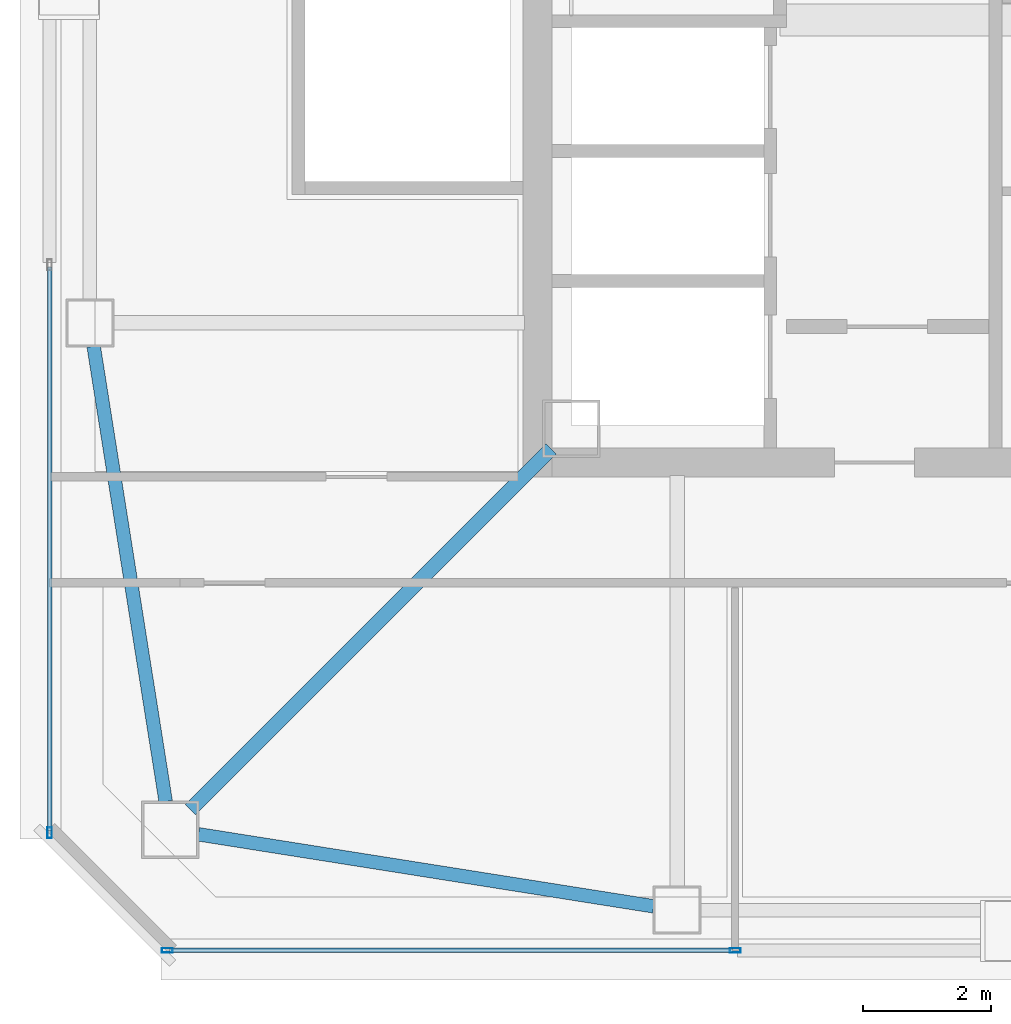
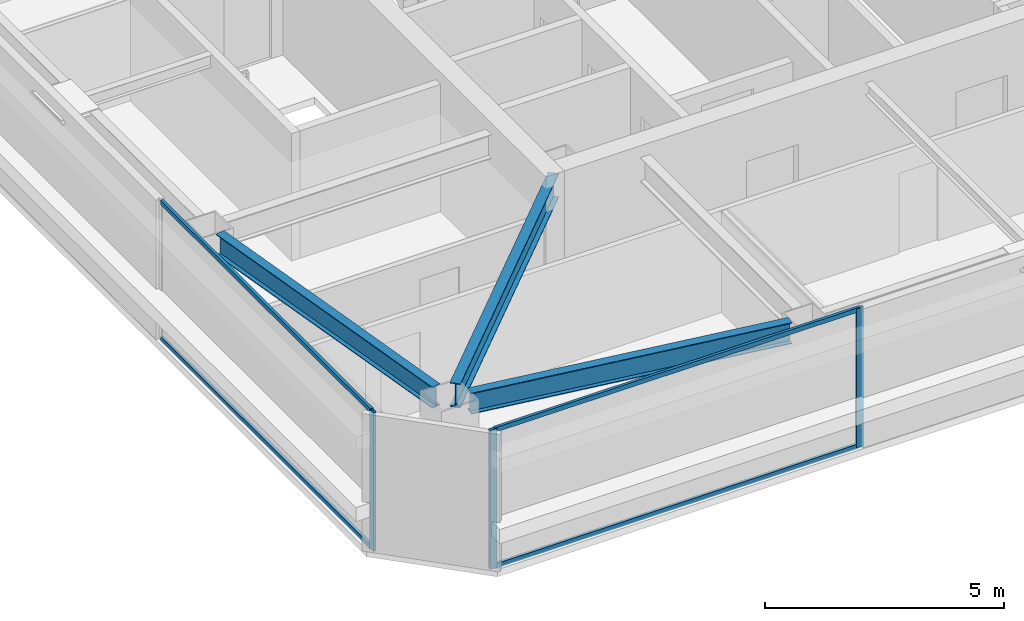
# One storey, part 2 of 18: 7 members, 3 beams, 2 elements without a shape of their own.
"""IFC4 building model written with IfcOpenShell, lengths in metres."""

from ifc_helpers import new_model, si_unit, direction, frame, origin, origin_2d, place, context, subcontext, project, spatial, hollow_rectangle, i_section, extrude, material, material_profile, profile_set, type_object, element, aggregate, save


model = new_model("IFC4")

# Units and contexts
model_context = context("Model", 3, precision=1e-05, world=origin(), true_north=direction((0.0, 1.0)))
body_context = subcontext(model_context, "Body", "Model", "MODEL_VIEW")
ifc_project = project(units=[si_unit("LENGTHUNIT", "METRE"), si_unit("AREAUNIT", "SQUARE_METRE"), si_unit("VOLUMEUNIT", "CUBIC_METRE"), si_unit("PLANEANGLEUNIT", "RADIAN"), si_unit("MASSUNIT", "GRAM", prefix="KILO")], contexts=[model_context])

# Site, building, storey
site_placement = place(None, origin())
site = spatial("IfcSite", under=ifc_project, at=site_placement, CompositionType="ELEMENT")
building_placement = place(site_placement, origin())
building = spatial("IfcBuilding", under=site, at=building_placement, Name="Tashvorn Skyway Center", CompositionType="ELEMENT")
storey_placement = place(building_placement, frame((0.0, 0.0, 274.050048828125)))
storey = spatial("IfcBuildingStorey", under=building, at=storey_placement, Name="L74", CompositionType="ELEMENT", Elevation=274.050048828125)

# Beams
ifc_material_1 = material(Name="Steel ASTM A992 Grade 50", Category="steel")
ifc_material_profile_1 = material_profile(ifc_material_1, i_section(OverallWidth=0.22998046875, OverallDepth=0.616943359375, WebThickness=0.01318359375, FlangeThickness=0.022216796875, at=origin_2d()), Name="W24X94")
ifc_profile_set_1 = profile_set([ifc_material_profile_1], Name="Steel ASTM A992 Grade 50")
beam_type_1 = type_object("IfcBeamType", Name="BM-BEAM-W24X94", PredefinedType="BEAM", material=ifc_profile_set_1)
beam_placement = place(storey_placement, frame((29.0146484375, 19.0146484375, 2.94140625), z_axis=(0.707106781187, 0.707106781187, 0.0), x_axis=(-0.707106781187, 0.707106781187, 0.0)))
element("IfcBeam", 1, at=beam_placement, inside=storey, type_object=beam_type_1, Name="Tower 1 L74 Primary Floor Girder MC-SW", PredefinedType="BEAM", context=body_context, shape_type="SweptSolid", body=[
    extrude(i_section(OverallWidth=0.22998046875, OverallDepth=0.616943359375, WebThickness=0.01318359375, FlangeThickness=0.022216796875, at=origin_2d()), origin(), (0.0, 0.0, 1.0), 7.94873046875),
])
ifc_material_profile_2 = material_profile(ifc_material_1, i_section(OverallWidth=0.2109375, OverallDepth=0.5390625, WebThickness=0.01171875, FlangeThickness=0.018798828125, at=origin_2d()), Name="W21X73")
ifc_profile_set_2 = profile_set([ifc_material_profile_2], Name="Steel ASTM A992 Grade 50")
beam_type_2 = type_object("IfcBeamType", Name="BM-SPANDREL-W21X73", PredefinedType="SPANDREL", material=ifc_profile_set_2)
for number, where, z_axis, x_axis, name in (
    (2, (29.1396484375, 18.63037109375, 2.98046875), (0.987713587978, -0.156274976, 0.0), (0.156274976, 0.987713587978, 0.0), "Tower 1 L74 Spandrel Beam 01"),
    (3, (27.5078125, 26.234619140625, 2.98046875), (0.156274976, -0.987713587978, 0.0), (0.987713587978, 0.156274976, 0.0), "Tower 1 L74 Spandrel Beam 12"),
):
    element("IfcBeam", number, at=place(storey_placement, frame(where, z_axis=z_axis, x_axis=x_axis)), inside=storey, type_object=beam_type_2, Name=name, PredefinedType="SPANDREL", context=body_context, shape_type="SweptSolid", body=[
        extrude(i_section(OverallWidth=0.2109375, OverallDepth=0.5390625, WebThickness=0.01171875, FlangeThickness=0.018798828125, at=origin_2d()), origin(), (0.0, 0.0, 1.0), 7.18310546875),
    ])

# Curtain wall, members
ifc_material_2 = material(Name="Thermally broken bronze-anodized aluminium 6063-T6", Category="aluminium")
curtain_wall_type = type_object("IfcCurtainWallType", Name="CW-CW-Z5", PredefinedType="NOTDEFINED", material=ifc_material_2)
curtain_wall_1_placement = place(storey_placement, origin())
curtain_wall_1 = element("IfcCurtainWall", 4, at=curtain_wall_1_placement, inside=storey, type_object=curtain_wall_type, Name="Tower 1 L74 South Unitised Curtain Wall Glazing Group 2", PredefinedType="NOTDEFINED")
ifc_material_profile_3 = material_profile(ifc_material_2, hollow_rectangle(XDim=0.070068359375, YDim=0.1650390625, WallThickness=0.00390625, at=origin_2d()), Name="ALU-MULL-70x165")
ifc_profile_set_3 = profile_set([ifc_material_profile_3], Name="Thermally broken bronze-anodized aluminium 6063-T6")
member_type_1 = type_object("IfcMemberType", Name="CWM-CW-Z5", PredefinedType="MULLION", material=ifc_profile_set_3)
member_1_placement = place(storey_placement, frame((37.5048828125, 16.820068359375, 0.0), z_axis=(0.0, 0.0, 1.0), x_axis=(0.0, -1.0, 0.0)))
member_1 = element("IfcMember", 5, at=member_1_placement, type_object=member_type_1, Name="CW-Z5 mullion 1", PredefinedType="MULLION", context=body_context, shape_type="SweptSolid", body=[
    extrude(hollow_rectangle(XDim=0.070068359375, YDim=0.1650390625, WallThickness=0.00390625, at=origin_2d()), origin(), (0.0, 0.0, 1.0), 3.550048828125),
])
member_2_placement = place(storey_placement, frame((28.655029296875, 16.820068359375, 0.0), z_axis=(0.0, 0.0, 1.0), x_axis=(0.0, -1.0, 0.0)))
member_2 = element("IfcMember", 6, at=member_2_placement, type_object=member_type_1, Name="CW-Z5 mullion 2", PredefinedType="MULLION", context=body_context, shape_type="SweptSolid", body=[
    extrude(hollow_rectangle(XDim=0.070068359375, YDim=0.1650390625, WallThickness=0.00390625, at=origin_2d()), origin(), (0.0, 0.0, 1.0), 3.550048828125),
])

# Curtain wall, member
curtain_wall_2_placement = place(storey_placement, origin())
curtain_wall_2 = element("IfcCurtainWall", 7, at=curtain_wall_2_placement, inside=storey, type_object=curtain_wall_type, Name="Tower 1 L74 West Unitised Curtain Wall Glazing Group 1", PredefinedType="NOTDEFINED")
member_3_placement = place(storey_placement, frame((26.820068359375, 18.655029296875, 0.0), z_axis=(0.0, 0.0, 1.0), x_axis=(-1.0, 0.0, 0.0)))
member_3 = element("IfcMember", 8, at=member_3_placement, type_object=member_type_1, Name="CW-Z5 mullion 1", PredefinedType="MULLION", context=body_context, shape_type="SweptSolid", body=[
    extrude(hollow_rectangle(XDim=0.070068359375, YDim=0.1650390625, WallThickness=0.00390625, at=origin_2d()), origin(), (0.0, 0.0, 1.0), 3.550048828125),
])

# Member
ifc_material_profile_4 = material_profile(ifc_material_2, hollow_rectangle(XDim=0.070068359375, YDim=0.114990234375, WallThickness=0.00390625, at=origin_2d()), Name="ALU-TRAN-70x115")
ifc_profile_set_4 = profile_set([ifc_material_profile_4], Name="Thermally broken bronze-anodized aluminium 6063-T6")
member_type_2 = type_object("IfcMemberType", Name="CWT-CW-Z5", PredefinedType="USERDEFINED", material=ifc_profile_set_4)
member_4_placement = place(storey_placement, frame((37.469970703125, 16.820068359375, 0.034912109375), z_axis=(-1.0, 0.0, 0.0), x_axis=(0.0, -1.0, 0.0)))
member_4 = element("IfcMember", 9, at=member_4_placement, type_object=member_type_2, Name="CW-Z5 transom 1.1", ObjectType="TRANSOM", PredefinedType="USERDEFINED", context=body_context, shape_type="SweptSolid", body=[
    extrude(hollow_rectangle(XDim=0.070068359375, YDim=0.114990234375, WallThickness=0.00390625, at=origin_2d()), origin(), (0.0, 0.0, 1.0), 8.780029296875),
])

member_5_placement = place(storey_placement, frame((37.469970703125, 16.820068359375, 3.514892578125), z_axis=(-1.0, 0.0, 0.0), x_axis=(0.0, -1.0, 0.0)))
member_5 = element("IfcMember", 10, at=member_5_placement, type_object=member_type_2, Name="CW-Z5 transom 1.2", ObjectType="TRANSOM", PredefinedType="USERDEFINED", context=body_context, shape_type="SweptSolid", body=[
    extrude(hollow_rectangle(XDim=0.070068359375, YDim=0.114990234375, WallThickness=0.00390625, at=origin_2d()), origin(), (0.0, 0.0, 1.0), 8.780029296875),
])

aggregate(curtain_wall_1, [member_1, member_2, member_4, member_5])

member_6_placement = place(storey_placement, frame((26.820068359375, 18.68994140625, 0.034912109375), z_axis=(0.0, 1.0, 0.0), x_axis=(-1.0, 0.0, 0.0)))
member_6 = element("IfcMember", 11, at=member_6_placement, type_object=member_type_2, Name="CW-Z5 transom 1.1", ObjectType="TRANSOM", PredefinedType="USERDEFINED", context=body_context, shape_type="SweptSolid", body=[
    extrude(hollow_rectangle(XDim=0.070068359375, YDim=0.114990234375, WallThickness=0.00390625, at=origin_2d()), origin(), (0.0, 0.0, 1.0), 8.780029296875),
])

member_7_placement = place(storey_placement, frame((26.820068359375, 18.68994140625, 3.514892578125), z_axis=(0.0, 1.0, 0.0), x_axis=(-1.0, 0.0, 0.0)))
member_7 = element("IfcMember", 12, at=member_7_placement, type_object=member_type_2, Name="CW-Z5 transom 1.2", ObjectType="TRANSOM", PredefinedType="USERDEFINED", context=body_context, shape_type="SweptSolid", body=[
    extrude(hollow_rectangle(XDim=0.070068359375, YDim=0.114990234375, WallThickness=0.00390625, at=origin_2d()), origin(), (0.0, 0.0, 1.0), 8.780029296875),
])

aggregate(curtain_wall_2, [member_3, member_6, member_7])

save(model, "model.ifc")
